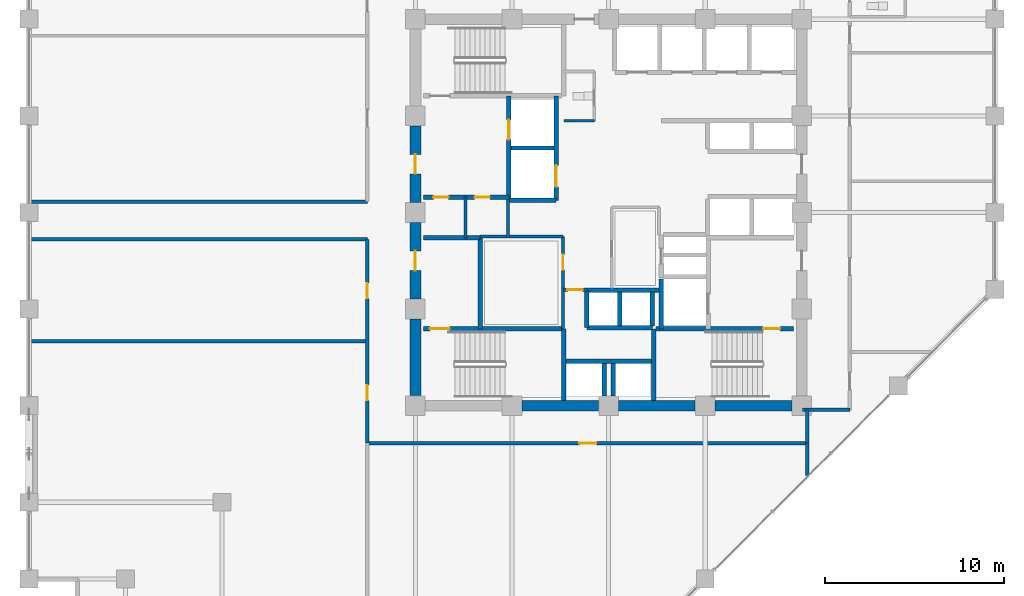
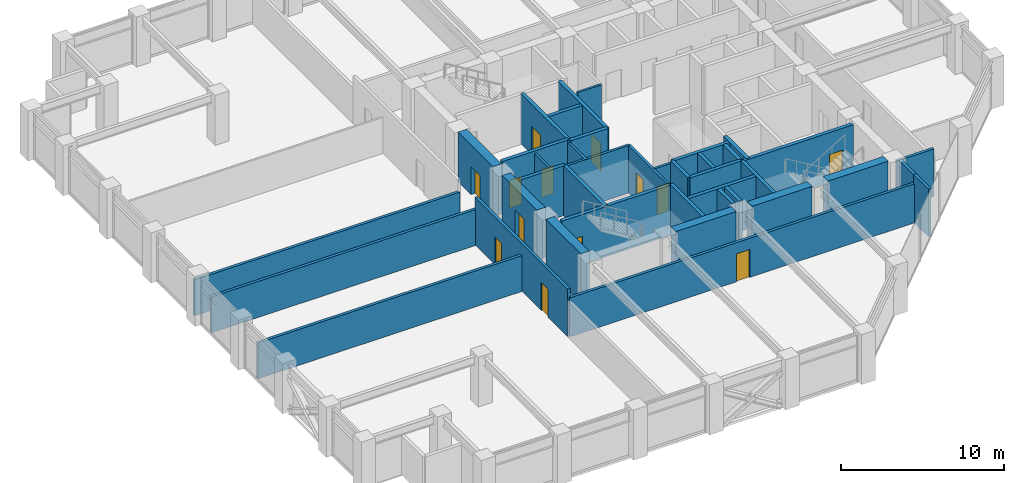
# One storey, part 19 of 23: 40 walls, 13 doors, 13 openings.
"""IFC4 building model written with IfcOpenShell, lengths in metres."""

from ifc_helpers import new_model, si_unit, direction, frame, frame_2d, origin, place, context, subcontext, project, spatial, rectangle, extrude, material, layer, layer_set, type_object, element, fill, save


model = new_model("IFC4")

# Units and contexts
model_context = context("Model", 3, precision=1e-05, world=origin(), true_north=direction((0.0, 1.0)))
body_context = subcontext(model_context, "Body", "Model", "MODEL_VIEW")
ifc_project = project(units=[si_unit("LENGTHUNIT", "METRE"), si_unit("AREAUNIT", "SQUARE_METRE"), si_unit("VOLUMEUNIT", "CUBIC_METRE"), si_unit("PLANEANGLEUNIT", "RADIAN"), si_unit("MASSUNIT", "GRAM", prefix="KILO")], contexts=[model_context])

# Site, building, storey
site_placement = place(None, origin())
site = spatial("IfcSite", under=ifc_project, at=site_placement, CompositionType="ELEMENT")
building_placement = place(site_placement, origin())
building = spatial("IfcBuilding", under=site, at=building_placement, Name="Surkhivell Harbour Commons", CompositionType="ELEMENT")
storey_placement = place(building_placement, frame((0.0, 0.0, 132.0)))
storey = spatial("IfcBuildingStorey", under=building, at=storey_placement, Name="L34", CompositionType="ELEMENT", Elevation=132.0)

# Walls
ifc_material_1 = material(Name="Concrete C60/75", Category="concrete")
ifc_layer_1 = layer(ifc_material_1, 0.60009765625)
ifc_layer_set_1 = layer_set([ifc_layer_1], Name="Concrete C60/75")
wall_type_1 = type_object("IfcWallType", Name="WAL-CORE-600", PredefinedType="SHEAR", material=ifc_layer_set_1)
for number, where, z_axis, x_axis, name in (
    (1, (-10.800048828125, -10.239990234375, 0.0), (0.0, 0.0, 1.0), (0.0, 1.0, 0.0), "L34 Core Shear Wall West 1"),
    (2, (-4.840087890625, -10.800048828125, 0.0), (0.0, 0.0, 1.0), (1.0, 0.0, 0.0), "L34 Core Shear Wall South 2"),
):
    element("IfcWall", number, at=place(storey_placement, frame(where, z_axis=z_axis, x_axis=x_axis)), inside=storey, type_object=wall_type_1, Name=name, PredefinedType="SHEAR", context=body_context, shape_type="SweptSolid", body=[
        extrude(rectangle(XDim=4.280029296875, YDim=0.60009765625, at=frame_2d((2.14013671875, 0.0))), origin(), (0.0, 0.0, 1.0), 3.75),
    ])

# Wall, opening, door
wall_1_placement = place(storey_placement, frame((-10.800048828125, -4.840087890625, 0.0), z_axis=(0.0, 0.0, 1.0), x_axis=(0.0, 1.0, 0.0)))
wall_1 = element("IfcWall", 3, at=wall_1_placement, inside=storey, type_object=wall_type_1, Name="L34 Core Shear Wall West 2", PredefinedType="SHEAR", context=body_context, shape_type="SweptSolid", body=[
    extrude(rectangle(XDim=4.280029296875, YDim=0.60009765625, at=frame_2d((2.14013671875, 0.0))), origin(), (0.0, 0.0, 1.0), 3.75),
])
opening_1_placement = place(wall_1_placement, frame((1.590087890625, 0.0, 0.0)))
opening_1 = element("IfcOpeningElement", 4, at=opening_1_placement, cuts=wall_1, Name="Opening ID-2", PredefinedType="OPENING", context=body_context, shape_type="SweptSolid", body=[
    extrude(rectangle(XDim=1.10009765625, YDim=2.10009765625, at=frame_2d((0.550048828125, 1.050048828125))), frame((0.0, 0.31005859375, 0.0), z_axis=(0.0, -1.0, 0.0), x_axis=(1.0, 0.0, 0.0)), (0.0, 0.0, 1.0), 0.6201171875),
])
ifc_material_2 = material(Name="Hardwood-veneered fire-rated door leaf", Category="wood")
door_type_1 = type_object("IfcDoorType", Name="DOR-FD60-1100", OperationType="NOTDEFINED", PredefinedType="DOOR", material=ifc_material_2)
door_1_placement = place(opening_1_placement, origin())
door_1 = element("IfcDoor", 5, at=door_1_placement, inside=storey, type_object=door_type_1, Name="L34 Stair 3 Lobby Corridor Door", OperationType="SINGLE_SWING_LEFT", OverallHeight=2.10009765625, OverallWidth=1.10009765625, PredefinedType="DOOR", context=body_context, shape_type="SweptSolid", body=[
    extrude(rectangle(XDim=1.10009765625, YDim=2.10009765625, at=frame_2d((0.550048828125, 1.050048828125))), frame((0.0, 0.02490234375, 0.0), z_axis=(0.0, -1.0, 0.0), x_axis=(1.0, 0.0, 0.0)), (0.0, 0.0, 1.0), 0.050048828125),
])
fill(opening_1, door_1)

# Wall
wall_2_placement = place(storey_placement, frame((0.56005859375, -10.800048828125, 0.0), z_axis=(0.0, 0.0, 1.0), x_axis=(1.0, 0.0, 0.0)))
element("IfcWall", 6, at=wall_2_placement, inside=storey, type_object=wall_type_1, Name="L34 Core Shear Wall South 3", PredefinedType="SHEAR", context=body_context, shape_type="SweptSolid", body=[
    extrude(rectangle(XDim=4.280029296875, YDim=0.60009765625, at=frame_2d((2.14013671875, 0.0))), origin(), (0.0, 0.0, 1.0), 3.75),
])

# Wall, opening, door
wall_3_placement = place(storey_placement, frame((-10.800048828125, 0.56005859375, 0.0), z_axis=(0.0, 0.0, 1.0), x_axis=(0.0, 1.0, 0.0)))
wall_3 = element("IfcWall", 7, at=wall_3_placement, inside=storey, type_object=wall_type_1, Name="L34 Core Shear Wall West 3", PredefinedType="SHEAR", context=body_context, shape_type="SweptSolid", body=[
    extrude(rectangle(XDim=4.280029296875, YDim=0.60009765625, at=frame_2d((2.14013671875, 0.0))), origin(), (0.0, 0.0, 1.0), 3.75),
])
opening_2_placement = place(wall_3_placement, frame((1.590087890625, 0.0, 0.0)))
opening_2 = element("IfcOpeningElement", 8, at=opening_2_placement, cuts=wall_3, Name="Opening ID-1", PredefinedType="OPENING", context=body_context, shape_type="SweptSolid", body=[
    extrude(rectangle(XDim=1.10009765625, YDim=2.10009765625, at=frame_2d((0.550048828125, 1.050048828125))), frame((0.0, 0.31005859375, 0.0), z_axis=(0.0, -1.0, 0.0), x_axis=(1.0, 0.0, 0.0)), (0.0, 0.0, 1.0), 0.6201171875),
])
door_type_2 = type_object("IfcDoorType", Name="DOR-FD120-1100", OperationType="NOTDEFINED", PredefinedType="DOOR", material=ifc_material_2)
door_2_placement = place(opening_2_placement, origin())
door_2 = element("IfcDoor", 9, at=door_2_placement, inside=storey, type_object=door_type_2, Name="L34 Firefighting Lobby 1 Corridor Door", OperationType="SINGLE_SWING_LEFT", OverallHeight=2.10009765625, OverallWidth=1.10009765625, PredefinedType="DOOR", context=body_context, shape_type="SweptSolid", body=[
    extrude(rectangle(XDim=1.10009765625, YDim=2.10009765625, at=frame_2d((0.550048828125, 1.050048828125))), frame((0.0, 0.02490234375, 0.0), z_axis=(0.0, -1.0, 0.0), x_axis=(1.0, 0.0, 0.0)), (0.0, 0.0, 1.0), 0.050048828125),
])
fill(opening_2, door_2)

# Walls
wall_4_placement = place(storey_placement, frame((5.9599609375, -10.800048828125, 0.0), z_axis=(0.0, 0.0, 1.0), x_axis=(1.0, 0.0, 0.0)))
element("IfcWall", 10, at=wall_4_placement, inside=storey, type_object=wall_type_1, Name="L34 Core Shear Wall South 4", PredefinedType="SHEAR", context=body_context, shape_type="SweptSolid", body=[
    extrude(rectangle(XDim=4.280029296875, YDim=0.60009765625, at=frame_2d((2.14013671875, 0.0))), origin(), (0.0, 0.0, 1.0), 3.75),
])
ifc_material_3 = material(Name="Twin-stud acoustic fireboard partition", Category="other")
ifc_layer_2 = layer(ifc_material_3, 0.14990234375)
ifc_layer_set_2 = layer_set([ifc_layer_2], Name="Twin-stud acoustic fireboard partition")
wall_type_2 = type_object("IfcWallType", Name="WAL-INT-150", PredefinedType="PARTITIONING", material=ifc_layer_set_2)
wall_5_placement = place(storey_placement, frame((-2.47998046875, 5.1201171875, 0.0), z_axis=(0.0, 0.0, 1.0), x_axis=(1.0, 0.0, 0.0)))
element("IfcWall", 11, at=wall_5_placement, inside=storey, type_object=wall_type_2, Name="L34 Core Accessible WC South Wall", PredefinedType="PARTITIONING", context=body_context, shape_type="SweptSolid", body=[
    extrude(rectangle(XDim=1.679931640625, YDim=0.14990234375, at=frame_2d((0.83984375, 0.0))), origin(), (0.0, 0.0, 1.0), 3.570068359375),
])
wall_6_placement = place(storey_placement, frame((-8.0, -1.419921875, 0.0), z_axis=(0.0, 0.0, 1.0), x_axis=(0.0, 1.0, 0.0)))
element("IfcWall", 12, at=wall_6_placement, inside=storey, type_object=wall_type_2, Name="L34 West Core Cut D1", PredefinedType="PARTITIONING", context=body_context, shape_type="SweptSolid", body=[
    extrude(rectangle(XDim=2.27001953125, YDim=0.14990234375, at=frame_2d((1.135009765625, 0.0))), origin(), (0.0, 0.0, 1.0), 3.570068359375),
])

# Wall, opening, door
ifc_material_4 = material(Name="High-density acoustic blockwork fire partition", Category="masonry")
ifc_layer_3 = layer(ifc_material_4, 0.175048828125)
ifc_layer_set_3 = layer_set([ifc_layer_3], Name="High-density acoustic blockwork fire partition")
wall_type_3 = type_object("IfcWallType", Name="WAL-INT-175", PredefinedType="PARTITIONING", material=ifc_layer_set_3)
wall_7_placement = place(storey_placement, frame((-2.550048828125, -6.510009765625, 0.0), z_axis=(0.0, 0.0, 1.0), x_axis=(0.0, 1.0, 0.0)))
wall_7 = element("IfcWall", 13, at=wall_7_placement, inside=storey, type_object=wall_type_3, Name="L34 Core Service Bay East Wall", PredefinedType="PARTITIONING", context=body_context, shape_type="SweptSolid", body=[
    extrude(rectangle(XDim=5.159912109375, YDim=0.175048828125, at=frame_2d((2.580078125, 0.0))), origin(), (0.0, 0.0, 1.0), 3.570068359375),
])
opening_3_placement = place(wall_7_placement, frame((3.300048828125, 0.0, 0.0)))
opening_3 = element("IfcOpeningElement", 14, at=opening_3_placement, cuts=wall_7, Name="Opening ID-6", PredefinedType="OPENING", context=body_context, shape_type="SweptSolid", body=[
    extrude(rectangle(XDim=0.85009765625, YDim=2.10009765625, at=frame_2d((0.425048828125, 1.050048828125))), frame((0.0, 0.097412109375, 0.0), z_axis=(0.0, -1.0, 0.0), x_axis=(1.0, 0.0, 0.0)), (0.0, 0.0, 1.0), 0.195068359375),
])
door_type_3 = type_object("IfcDoorType", Name="DOR-FD30-850", OperationType="NOTDEFINED", PredefinedType="DOOR", material=ifc_material_2)
door_3_placement = place(opening_3_placement, origin())
door_3 = element("IfcDoor", 15, at=door_3_placement, inside=storey, type_object=door_type_3, Name="L34 Core Quiet Reading Door", OperationType="SINGLE_SWING_RIGHT", OverallHeight=2.10009765625, OverallWidth=0.85009765625, PredefinedType="DOOR", context=body_context, shape_type="SweptSolid", body=[
    extrude(rectangle(XDim=0.85009765625, YDim=2.10009765625, at=frame_2d((0.425048828125, 1.050048828125))), frame((0.0, 0.02490234375, 0.0), z_axis=(0.0, -1.0, 0.0), x_axis=(1.0, 0.0, 0.0)), (0.0, 0.0, 1.0), 0.050048828125),
])
fill(opening_3, door_3)

# Walls
wall_8_placement = place(storey_placement, frame((-7.179931640625, -1.35009765625, 0.0), z_axis=(0.0, 0.0, 1.0), x_axis=(1.0, 0.0, 0.0)))
element("IfcWall", 16, at=wall_8_placement, inside=storey, type_object=wall_type_3, Name="L34 Core Service Bay North Wall", PredefinedType="PARTITIONING", context=body_context, shape_type="SweptSolid", body=[
    extrude(rectangle(XDim=4.6298828125, YDim=0.175048828125, at=frame_2d((2.31494140625, 0.0))), origin(), (0.0, 0.0, 1.0), 3.570068359375),
])
wall_9_placement = place(storey_placement, frame((-5.6201171875, -1.419921875, 0.0), z_axis=(0.0, 0.0, 1.0), x_axis=(0.0, 1.0, 0.0)))
element("IfcWall", 17, at=wall_9_placement, inside=storey, type_object=wall_type_3, Name="L34 West Core Bay East Wall", PredefinedType="PARTITIONING", context=body_context, shape_type="SweptSolid", body=[
    extrude(rectangle(XDim=2.139892578125, YDim=0.175048828125, at=frame_2d((1.06982421875, 0.0))), origin(), (0.0, 0.0, 1.0), 3.570068359375),
])

# Wall, opening, door
wall_10_placement = place(storey_placement, frame((-2.52001953125, -4.320068359375, 0.0), z_axis=(0.0, 0.0, 1.0), x_axis=(1.0, 0.0, 0.0)))
wall_10 = element("IfcWall", 18, at=wall_10_placement, inside=storey, type_object=wall_type_3, Name="L34 High-Rise Lobby North Portal Wall", PredefinedType="PARTITIONING", context=body_context, shape_type="SweptSolid", body=[
    extrude(rectangle(XDim=1.300048828125, YDim=0.175048828125, at=frame_2d((0.64990234375, 0.0))), origin(), (0.0, 0.0, 1.0), 3.570068359375),
])
opening_4_placement = place(wall_10_placement, frame((0.219970703125, 0.0, 0.0)))
opening_4 = element("IfcOpeningElement", 19, at=opening_4_placement, cuts=wall_10, Name="Opening ID-6", PredefinedType="OPENING", context=body_context, shape_type="SweptSolid", body=[
    extrude(rectangle(XDim=0.85009765625, YDim=2.10009765625, at=frame_2d((0.425048828125, 1.050048828125))), frame((0.0, 0.097412109375, 0.0), z_axis=(0.0, -1.0, 0.0), x_axis=(1.0, 0.0, 0.0)), (0.0, 0.0, 1.0), 0.195068359375),
])
door_4_placement = place(opening_4_placement, origin())
door_4 = element("IfcDoor", 20, at=door_4_placement, inside=storey, type_object=door_type_3, Name="L34 High-Rise Lift Lobby North Door", OperationType="SINGLE_SWING_LEFT", OverallHeight=2.10009765625, OverallWidth=0.85009765625, PredefinedType="DOOR", context=body_context, shape_type="SweptSolid", body=[
    extrude(rectangle(XDim=0.85009765625, YDim=2.10009765625, at=frame_2d((0.425048828125, 1.050048828125))), frame((0.0, 0.02490234375, 0.0), z_axis=(0.0, -1.0, 0.0), x_axis=(1.0, 0.0, 0.0)), (0.0, 0.0, 1.0), 0.050048828125),
])
fill(opening_4, door_4)

# Walls
ifc_material_5 = material(Name="Autoclaved aerated concrete blockwork and fire plaster", Category="masonry")
ifc_layer_4 = layer(ifc_material_5, 0.199951171875)
ifc_layer_set_4 = layer_set([ifc_layer_4], Name="Autoclaved aerated concrete blockwork and fire plaster")
wall_type_4 = type_object("IfcWallType", Name="WAL-INT-200", PredefinedType="PARTITIONING", material=ifc_layer_set_4)
wall_11_placement = place(storey_placement, frame((11.10009765625, -14.715087890625, 0.0), z_axis=(0.0, 0.0, 1.0), x_axis=(0.0, 1.0, 0.0)))
element("IfcWall", 21, at=wall_11_placement, inside=storey, type_object=wall_type_4, Name="L34 South-East Wing Corner Divider", PredefinedType="PARTITIONING", context=body_context, shape_type="SweptSolid", body=[
    extrude(rectangle(XDim=1.815185546875, YDim=0.199951171875, at=frame_2d((0.90771484375, 0.0))), origin(), (0.0, 0.0, 1.0), 3.570068359375),
])
wall_12_placement = place(storey_placement, frame((10.85009765625, -11.0400390625, 0.0), z_axis=(0.0, 0.0, 1.0), x_axis=(1.0, 0.0, 0.0)))
element("IfcWall", 22, at=wall_12_placement, inside=storey, type_object=wall_type_4, Name="L34 Corridor East South Closure Wall", PredefinedType="PARTITIONING", context=body_context, shape_type="SweptSolid", body=[
    extrude(rectangle(XDim=2.6298828125, YDim=0.199951171875, at=frame_2d((1.31494140625, 0.0))), origin(), (0.0, 0.0, 1.0), 3.570068359375),
])

# Wall, opening, door
wall_13_placement = place(storey_placement, frame((-13.47998046875, -12.89990234375, 0.0), z_axis=(0.0, 0.0, 1.0), x_axis=(1.0, 0.0, 0.0)))
wall_13 = element("IfcWall", 23, at=wall_13_placement, inside=storey, type_object=wall_type_4, Name="L34 Corridor South Wall", PredefinedType="PARTITIONING", context=body_context, shape_type="SweptSolid", body=[
    extrude(rectangle(XDim=24.580078125, YDim=0.199951171875, at=frame_2d((12.2900390625, 0.0))), origin(), (0.0, 0.0, 1.0), 2.93310546875),
])
opening_5_placement = place(wall_13_placement, frame((11.840087890625, 0.0, 0.0)))
opening_5 = element("IfcOpeningElement", 24, at=opening_5_placement, cuts=wall_13, Name="Opening ID-4", PredefinedType="OPENING", context=body_context, shape_type="SweptSolid", body=[
    extrude(rectangle(XDim=0.949951171875, YDim=2.10009765625, at=frame_2d((0.47509765625, 1.050048828125))), frame((0.0, 0.10986328125, 0.0), z_axis=(0.0, -1.0, 0.0), x_axis=(1.0, 0.0, 0.0)), (0.0, 0.0, 1.0), 0.219970703125),
])
door_type_4 = type_object("IfcDoorType", Name="DOR-FD60-950", OperationType="NOTDEFINED", PredefinedType="DOOR", material=ifc_material_2)
door_5_placement = place(opening_5_placement, origin())
door_5 = element("IfcDoor", 25, at=door_5_placement, inside=storey, type_object=door_type_4, Name="L34 Harbour Social Lounge South Door", OperationType="SINGLE_SWING_LEFT", OverallHeight=2.10009765625, OverallWidth=0.949951171875, PredefinedType="DOOR", context=body_context, shape_type="SweptSolid", body=[
    extrude(rectangle(XDim=0.949951171875, YDim=2.10009765625, at=frame_2d((0.47509765625, 1.050048828125))), frame((0.0, 0.02490234375, 0.0), z_axis=(0.0, -1.0, 0.0), x_axis=(1.0, 0.0, 0.0)), (0.0, 0.0, 1.0), 0.050048828125),
])
fill(opening_5, door_5)

# Walls
wall_14_placement = place(storey_placement, frame((11.10009765625, -12.89990234375, 0.0), z_axis=(0.0, 0.0, 1.0), x_axis=(0.0, 1.0, 0.0)))
element("IfcWall", 26, at=wall_14_placement, inside=storey, type_object=wall_type_4, Name="L34 Corridor SE Closure Wall", PredefinedType="PARTITIONING", context=body_context, shape_type="SweptSolid", body=[
    extrude(rectangle(XDim=1.85986328125, YDim=0.199951171875, at=frame_2d((0.929931640625, 0.0))), origin(), (0.0, 0.0, 1.0), 3.570068359375),
])
for number, where, z_axis, x_axis, name in (
    (27, (-32.340087890625, 0.60009765625, 0.0), (0.0, 0.0, 1.0), (1.0, 0.0, 0.0), "L34 West Alcove North Wall"),
    (28, (-32.340087890625, -1.5, 0.0), (0.0, 0.0, 1.0), (1.0, 0.0, 0.0), "L34 West Alcove South Wall"),
):
    element("IfcWall", number, at=place(storey_placement, frame(where, z_axis=z_axis, x_axis=x_axis)), inside=storey, type_object=wall_type_4, Name=name, PredefinedType="PARTITIONING", context=body_context, shape_type="SweptSolid", body=[
        extrude(rectangle(XDim=18.860107421875, YDim=0.199951171875, at=frame_2d((9.43017578125, 0.0))), origin(), (0.0, 0.0, 1.0), 2.698974609375),
    ])

# Wall, openings, doors
wall_15_placement = place(storey_placement, frame((-13.47998046875, -12.89990234375, 0.0), z_axis=(0.0, 0.0, 1.0), x_axis=(0.0, 1.0, 0.0)))
wall_15 = element("IfcWall", 29, at=wall_15_placement, inside=storey, type_object=wall_type_4, Name="L34 Corridor West-Lower Wall", PredefinedType="PARTITIONING", context=body_context, shape_type="SweptSolid", body=[
    extrude(rectangle(XDim=11.39990234375, YDim=0.199951171875, at=frame_2d((5.699951171875, 0.0))), origin(), (0.0, 0.0, 1.0), 3.570068359375),
])
opening_6_placement = place(wall_15_placement, frame((2.39990234375, 0.0, 0.0)))
opening_6 = element("IfcOpeningElement", 30, at=opening_6_placement, cuts=wall_15, Name="Opening ID-6", PredefinedType="OPENING", context=body_context, shape_type="SweptSolid", body=[
    extrude(rectangle(XDim=0.85009765625, YDim=2.10009765625, at=frame_2d((0.425048828125, 1.050048828125))), frame((0.0, 0.10986328125, 0.0), z_axis=(0.0, -1.0, 0.0), x_axis=(1.0, 0.0, 0.0)), (0.0, 0.0, 1.0), 0.219970703125),
])
opening_7_placement = place(wall_15_placement, frame((8.10009765625, 0.0, 0.0)))
opening_7 = element("IfcOpeningElement", 31, at=opening_7_placement, cuts=wall_15, Name="Opening ID-6", PredefinedType="OPENING", context=body_context, shape_type="SweptSolid", body=[
    extrude(rectangle(XDim=0.85009765625, YDim=2.10009765625, at=frame_2d((0.425048828125, 1.050048828125))), frame((0.0, 0.10986328125, 0.0), z_axis=(0.0, -1.0, 0.0), x_axis=(1.0, 0.0, 0.0)), (0.0, 0.0, 1.0), 0.219970703125),
])
door_6_placement = place(opening_6_placement, origin())
door_6 = element("IfcDoor", 32, at=door_6_placement, inside=storey, type_object=door_type_3, Name="L34 Campus Co-Op Bookshop South-West Door", OperationType="SINGLE_SWING_LEFT", OverallHeight=2.10009765625, OverallWidth=0.85009765625, PredefinedType="DOOR", context=body_context, shape_type="SweptSolid", body=[
    extrude(rectangle(XDim=0.85009765625, YDim=2.10009765625, at=frame_2d((0.425048828125, 1.050048828125))), frame((0.0, 0.02490234375, 0.0), z_axis=(0.0, -1.0, 0.0), x_axis=(1.0, 0.0, 0.0)), (0.0, 0.0, 1.0), 0.050048828125),
])
fill(opening_6, door_6)
door_7_placement = place(opening_7_placement, origin())
door_7 = element("IfcDoor", 33, at=door_7_placement, inside=storey, type_object=door_type_3, Name="L34 Harbour Espresso Cafe Shop South-West Door", OperationType="SINGLE_SWING_RIGHT", OverallHeight=2.10009765625, OverallWidth=0.85009765625, PredefinedType="DOOR", context=body_context, shape_type="SweptSolid", body=[
    extrude(rectangle(XDim=0.85009765625, YDim=2.10009765625, at=frame_2d((0.425048828125, 1.050048828125))), frame((0.0, 0.02490234375, 0.0), z_axis=(0.0, -1.0, 0.0), x_axis=(1.0, 0.0, 0.0)), (0.0, 0.0, 1.0), 0.050048828125),
])
fill(opening_7, door_7)

# Wall
wall_16_placement = place(storey_placement, frame((-32.340087890625, -7.199951171875, 0.0), z_axis=(0.0, 0.0, 1.0), x_axis=(1.0, 0.0, 0.0)))
element("IfcWall", 34, at=wall_16_placement, inside=storey, type_object=wall_type_4, Name="L34 South-West Partition P1", PredefinedType="PARTITIONING", context=body_context, shape_type="SweptSolid", body=[
    extrude(rectangle(XDim=18.860107421875, YDim=0.199951171875, at=frame_2d((9.43017578125, 0.0))), origin(), (0.0, 0.0, 1.0), 2.698974609375),
])

# Wall, opening, door
ifc_material_6 = material(Name="Concrete C50/60", Category="concrete")
ifc_layer_5 = layer(ifc_material_6, 0.25)
ifc_layer_set_5 = layer_set([ifc_layer_5], Name="Concrete C50/60")
wall_type_5 = type_object("IfcWallType", Name="WAL-SHAFT-250", PredefinedType="SHEAR", material=ifc_layer_set_5)
wall_17_placement = place(storey_placement, frame((-5.580078125, 0.719970703125, 0.0), z_axis=(0.0, 0.0, 1.0), x_axis=(0.0, 1.0, 0.0)))
wall_17 = element("IfcWall", 35, at=wall_17_placement, inside=storey, type_object=wall_type_5, Name="L34 Firefighting Lobby 1 East Shaft Wall", PredefinedType="SHEAR", context=body_context, shape_type="SweptSolid", body=[
    extrude(rectangle(XDim=5.7900390625, YDim=0.25, at=frame_2d((2.89501953125, 0.0))), origin(), (0.0, 0.0, 1.0), 3.75),
])
opening_8_placement = place(wall_17_placement, frame((3.35009765625, 0.0, 0.0)))
opening_8 = element("IfcOpeningElement", 36, at=opening_8_placement, cuts=wall_17, Name="Opening LD-1", PredefinedType="OPENING", context=body_context, shape_type="SweptSolid", body=[
    extrude(rectangle(XDim=1.10009765625, YDim=2.10009765625, at=frame_2d((0.550048828125, 1.050048828125))), frame((0.0, 0.135009765625, 0.0), z_axis=(0.0, -1.0, 0.0), x_axis=(1.0, 0.0, 0.0)), (0.0, 0.0, 1.0), 0.27001953125),
])
ifc_material_7 = material(Name="Brushed stainless steel S355", Category="steel")
door_type_5 = type_object("IfcDoorType", Name="DOR-LD-1100", OperationType="SLIDING_TO_LEFT", PredefinedType="DOOR", material=ifc_material_7)
door_8_placement = place(opening_8_placement, origin())
door_8 = element("IfcDoor", 37, at=door_8_placement, inside=storey, type_object=door_type_5, Name="L34 Lift Landing Door LD-FFL1", OperationType="SLIDING_TO_LEFT", OverallHeight=2.10009765625, OverallWidth=1.10009765625, PredefinedType="DOOR", context=body_context, shape_type="SweptSolid", body=[
    extrude(rectangle(XDim=1.10009765625, YDim=2.10009765625, at=frame_2d((0.550048828125, 1.050048828125))), frame((0.0, 0.02490234375, 0.0), z_axis=(0.0, -1.0, 0.0), x_axis=(1.0, 0.0, 0.0)), (0.0, 0.0, 1.0), 0.050048828125),
])
fill(opening_8, door_8)

# Wall, openings, doors
wall_18_placement = place(storey_placement, frame((-10.340087890625, 0.85009765625, 0.0), z_axis=(0.0, 0.0, 1.0), x_axis=(1.0, 0.0, 0.0)))
wall_18 = element("IfcWall", 38, at=wall_18_placement, inside=storey, type_object=wall_type_5, Name="L34 Firefighting Lobby 1 South Wall", PredefinedType="SHEAR", context=body_context, shape_type="SweptSolid", body=[
    extrude(rectangle(XDim=4.760009765625, YDim=0.25, at=frame_2d((2.3798828125, 0.0))), origin(), (0.0, 0.0, 1.0), 3.75),
])
opening_9_placement = place(wall_18_placement, frame((0.550048828125, 0.0, 0.0)))
opening_9 = element("IfcOpeningElement", 39, at=opening_9_placement, cuts=wall_18, Name="Opening ID-6", PredefinedType="OPENING", context=body_context, shape_type="SweptSolid", body=[
    extrude(rectangle(XDim=0.85009765625, YDim=2.10009765625, at=frame_2d((0.425048828125, 1.050048828125))), frame((0.0, 0.135009765625, 0.0), z_axis=(0.0, -1.0, 0.0), x_axis=(1.0, 0.0, 0.0)), (0.0, 0.0, 1.0), 0.27001953125),
])
opening_10_placement = place(wall_18_placement, frame((2.85009765625, 0.0, 0.0)))
opening_10 = element("IfcOpeningElement", 40, at=opening_10_placement, cuts=wall_18, Name="Opening ID-6", PredefinedType="OPENING", context=body_context, shape_type="SweptSolid", body=[
    extrude(rectangle(XDim=0.85009765625, YDim=2.10009765625, at=frame_2d((0.425048828125, 1.050048828125))), frame((0.0, 0.135009765625, 0.0), z_axis=(0.0, -1.0, 0.0), x_axis=(1.0, 0.0, 0.0)), (0.0, 0.0, 1.0), 0.27001953125),
])
door_9_placement = place(opening_9_placement, origin())
door_9 = element("IfcDoor", 41, at=door_9_placement, inside=storey, type_object=door_type_3, Name="L34 West Seminar Pod Door", OperationType="SINGLE_SWING_LEFT", OverallHeight=2.10009765625, OverallWidth=0.85009765625, PredefinedType="DOOR", context=body_context, shape_type="SweptSolid", body=[
    extrude(rectangle(XDim=0.85009765625, YDim=2.10009765625, at=frame_2d((0.425048828125, 1.050048828125))), frame((0.0, 0.02490234375, 0.0), z_axis=(0.0, -1.0, 0.0), x_axis=(1.0, 0.0, 0.0)), (0.0, 0.0, 1.0), 0.050048828125),
])
fill(opening_9, door_9)
door_10_placement = place(opening_10_placement, origin())
door_10 = element("IfcDoor", 42, at=door_10_placement, inside=storey, type_object=door_type_3, Name="L34 West Reading Pod Door", OperationType="SINGLE_SWING_RIGHT", OverallHeight=2.10009765625, OverallWidth=0.85009765625, PredefinedType="DOOR", context=body_context, shape_type="SweptSolid", body=[
    extrude(rectangle(XDim=0.85009765625, YDim=2.10009765625, at=frame_2d((0.425048828125, 1.050048828125))), frame((0.0, 0.02490234375, 0.0), z_axis=(0.0, -1.0, 0.0), x_axis=(1.0, 0.0, 0.0)), (0.0, 0.0, 1.0), 0.050048828125),
])
fill(opening_10, door_10)

# Walls
wall_19_placement = place(storey_placement, frame((2.929931640625, -6.510009765625, 0.0), z_axis=(0.0, 0.0, 1.0), x_axis=(0.0, 1.0, 0.0)))
element("IfcWall", 43, at=wall_19_placement, inside=storey, type_object=wall_type_5, Name="L34 FFL2 West Shaft Wall", PredefinedType="SHEAR", context=body_context, shape_type="SweptSolid", body=[
    extrude(rectangle(XDim=2.7900390625, YDim=0.25, at=frame_2d((1.39501953125, 0.0))), origin(), (0.0, 0.0, 1.0), 3.75),
])
for number, where, z_axis, x_axis, name in (
    (44, (0.6201171875, -6.340087890625, 0.0), (0.0, 0.0, 1.0), (0.0, 1.0, 0.0), "L34 High-Rise Side Wall N"),
    (45, (2.449951171875, -6.340087890625, 0.0), (0.0, 0.0, 1.0), (0.0, 1.0, 0.0), "L34 High-Rise Side Wall N"),
):
    element("IfcWall", number, at=place(storey_placement, frame(where, z_axis=z_axis, x_axis=x_axis)), inside=storey, type_object=wall_type_5, Name=name, PredefinedType="SHEAR", context=body_context, shape_type="SweptSolid", body=[
        extrude(rectangle(XDim=1.880126953125, YDim=0.25, at=frame_2d((0.93994140625, 0.0))), origin(), (0.0, 0.0, 1.0), 3.75),
    ])
for number, where, z_axis, x_axis, name in (
    (46, (-0.25, -10.25, 0.0), (0.0, 0.0, 1.0), (0.0, 1.0, 0.0), "L34 High-Rise Side Wall S"),
    (47, (0.25, -10.25, 0.0), (0.0, 0.0, 1.0), (0.0, 1.0, 0.0), "L34 High-Rise Side Wall S"),
):
    element("IfcWall", number, at=place(storey_placement, frame(where, z_axis=z_axis, x_axis=x_axis)), inside=storey, type_object=wall_type_5, Name=name, PredefinedType="SHEAR", context=body_context, shape_type="SweptSolid", body=[
        extrude(rectangle(XDim=1.81005859375, YDim=0.25, at=frame_2d((0.905029296875, 0.0))), origin(), (0.0, 0.0, 1.0), 3.75),
    ])
wall_20_placement = place(storey_placement, frame((-1.219970703125, -6.43994140625, 0.0), z_axis=(0.0, 0.0, 1.0), x_axis=(0.0, 1.0, 0.0)))
element("IfcWall", 48, at=wall_20_placement, inside=storey, type_object=wall_type_5, Name="L34 High-Rise Passage East Shaft Wall", PredefinedType="SHEAR", context=body_context, shape_type="SweptSolid", body=[
    extrude(rectangle(XDim=2.079833984375, YDim=0.25, at=frame_2d((1.0400390625, 0.0))), origin(), (0.0, 0.0, 1.0), 3.75),
])
wall_21_placement = place(storey_placement, frame((-1.219970703125, -6.43994140625, 0.0), z_axis=(0.0, 0.0, 1.0), x_axis=(1.0, 0.0, 0.0)))
element("IfcWall", 49, at=wall_21_placement, inside=storey, type_object=wall_type_5, Name="L34 High-Rise North Front Shaft Wall", PredefinedType="SHEAR", context=body_context, shape_type="SweptSolid", body=[
    extrude(rectangle(XDim=3.669921875, YDim=0.25, at=frame_2d((1.8349609375, 0.0))), origin(), (0.0, 0.0, 1.0), 3.75),
])
wall_22_placement = place(storey_placement, frame((-2.47998046875, -8.320068359375, 0.0), z_axis=(0.0, 0.0, 1.0), x_axis=(1.0, 0.0, 0.0)))
element("IfcWall", 50, at=wall_22_placement, inside=storey, type_object=wall_type_5, Name="L34 High-Rise South Front Shaft Wall", PredefinedType="SHEAR", context=body_context, shape_type="SweptSolid", body=[
    extrude(rectangle(XDim=4.929931640625, YDim=0.25, at=frame_2d((2.46484375, 0.0))), origin(), (0.0, 0.0, 1.0), 3.75),
])
wall_23_placement = place(storey_placement, frame((-1.219970703125, -4.360107421875, 0.0), z_axis=(0.0, 0.0, 1.0), x_axis=(1.0, 0.0, 0.0)))
element("IfcWall", 51, at=wall_23_placement, inside=storey, type_object=wall_type_5, Name="L34 High-Rise North Back Shaft Wall", PredefinedType="SHEAR", context=body_context, shape_type="SweptSolid", body=[
    extrude(rectangle(XDim=4.030029296875, YDim=0.25, at=frame_2d((2.01513671875, 0.0))), origin(), (0.0, 0.0, 1.0), 3.75),
])

# Wall, opening, door
wall_24_placement = place(storey_placement, frame((2.639892578125, -6.510009765625, 0.0), z_axis=(0.0, 0.0, 1.0), x_axis=(1.0, 0.0, 0.0)))
wall_24 = element("IfcWall", 52, at=wall_24_placement, inside=storey, type_object=wall_type_5, Name="L34 Stair ST2 North Shear Wall", PredefinedType="SHEAR", context=body_context, shape_type="SweptSolid", body=[
    extrude(rectangle(XDim=7.7001953125, YDim=0.25, at=frame_2d((3.85009765625, 0.0))), origin(), (0.0, 0.0, 1.0), 3.75),
])
opening_11_placement = place(wall_24_placement, frame((6.0, 0.0, 0.0)))
opening_11 = element("IfcOpeningElement", 53, at=opening_11_placement, cuts=wall_24, Name="Opening ID-4", PredefinedType="OPENING", context=body_context, shape_type="SweptSolid", body=[
    extrude(rectangle(XDim=0.949951171875, YDim=2.10009765625, at=frame_2d((0.47509765625, 1.050048828125))), frame((0.0, 0.135009765625, 0.0), z_axis=(0.0, -1.0, 0.0), x_axis=(1.0, 0.0, 0.0)), (0.0, 0.0, 1.0), 0.27001953125),
])
door_11_placement = place(opening_11_placement, origin())
door_11 = element("IfcDoor", 54, at=door_11_placement, inside=storey, type_object=door_type_4, Name="L34 Stair ST2 Exit Door", OperationType="SINGLE_SWING_RIGHT", OverallHeight=2.10009765625, OverallWidth=0.949951171875, PredefinedType="DOOR", context=body_context, shape_type="SweptSolid", body=[
    extrude(rectangle(XDim=0.949951171875, YDim=2.10009765625, at=frame_2d((0.47509765625, 1.050048828125))), frame((0.0, 0.02490234375, 0.0), z_axis=(0.0, -1.0, 0.0), x_axis=(1.0, 0.0, 0.0)), (0.0, 0.0, 1.0), 0.050048828125),
])
fill(opening_11, door_11)

# Walls
for number, where, z_axis, x_axis, name in (
    (55, (2.510009765625, -10.5, 0.0), (0.0, 0.0, 1.0), (0.0, 1.0, 0.0), "L34 Stair ST2 West Shear Wall"),
    (56, (-2.510009765625, -10.5, 0.0), (0.0, 0.0, 1.0), (0.0, 1.0, 0.0), "L34 Stair ST3 East Shear Wall"),
):
    element("IfcWall", number, at=place(storey_placement, frame(where, z_axis=z_axis, x_axis=x_axis)), inside=storey, type_object=wall_type_5, Name=name, PredefinedType="SHEAR", context=body_context, shape_type="SweptSolid", body=[
        extrude(rectangle(XDim=3.989990234375, YDim=0.25, at=frame_2d((1.9951171875, 0.0))), origin(), (0.0, 0.0, 1.0), 3.75),
    ])
wall_25_placement = place(storey_placement, frame((-7.179931640625, -6.510009765625, 0.0), z_axis=(0.0, 0.0, 1.0), x_axis=(0.0, 1.0, 0.0)))
element("IfcWall", 57, at=wall_25_placement, inside=storey, type_object=wall_type_5, Name="L34 Stair 3 Lobby East Wall", PredefinedType="SHEAR", context=body_context, shape_type="SweptSolid", body=[
    extrude(rectangle(XDim=5.090087890625, YDim=0.25, at=frame_2d((2.544921875, 0.0))), origin(), (0.0, 0.0, 1.0), 3.75),
])
wall_26_placement = place(storey_placement, frame((-10.340087890625, -1.419921875, 0.0), z_axis=(0.0, 0.0, 1.0), x_axis=(1.0, 0.0, 0.0)))
element("IfcWall", 58, at=wall_26_placement, inside=storey, type_object=wall_type_5, Name="L34 Stair 3 Lobby North Wall", PredefinedType="SHEAR", context=body_context, shape_type="SweptSolid", body=[
    extrude(rectangle(XDim=3.16015625, YDim=0.25, at=frame_2d((1.580078125, 0.0))), origin(), (0.0, 0.0, 1.0), 3.75),
])

# Wall, opening, door
wall_27_placement = place(storey_placement, frame((-10.340087890625, -6.510009765625, 0.0), z_axis=(0.0, 0.0, 1.0), x_axis=(1.0, 0.0, 0.0)))
wall_27 = element("IfcWall", 59, at=wall_27_placement, inside=storey, type_object=wall_type_5, Name="L34 Stair ST3 North Shear Wall", PredefinedType="SHEAR", context=body_context, shape_type="SweptSolid", body=[
    extrude(rectangle(XDim=7.7001953125, YDim=0.25, at=frame_2d((3.85009765625, 0.0))), origin(), (0.0, 0.0, 1.0), 3.75),
])
opening_12_placement = place(wall_27_placement, frame((0.35009765625, 0.0, 0.0)))
opening_12 = element("IfcOpeningElement", 60, at=opening_12_placement, cuts=wall_27, Name="Opening ID-2", PredefinedType="OPENING", context=body_context, shape_type="SweptSolid", body=[
    extrude(rectangle(XDim=1.10009765625, YDim=2.10009765625, at=frame_2d((0.550048828125, 1.050048828125))), frame((0.0, 0.135009765625, 0.0), z_axis=(0.0, -1.0, 0.0), x_axis=(1.0, 0.0, 0.0)), (0.0, 0.0, 1.0), 0.27001953125),
])
door_12_placement = place(opening_12_placement, origin())
door_12 = element("IfcDoor", 61, at=door_12_placement, inside=storey, type_object=door_type_1, Name="L34 Stair ST3 Exit Door", OperationType="SINGLE_SWING_RIGHT", OverallHeight=2.10009765625, OverallWidth=1.10009765625, PredefinedType="DOOR", context=body_context, shape_type="SweptSolid", body=[
    extrude(rectangle(XDim=1.10009765625, YDim=2.10009765625, at=frame_2d((0.550048828125, 1.050048828125))), frame((0.0, 0.02490234375, 0.0), z_axis=(0.0, -1.0, 0.0), x_axis=(1.0, 0.0, 0.0)), (0.0, 0.0, 1.0), 0.050048828125),
])
fill(opening_12, door_12)

wall_28_placement = place(storey_placement, frame((-2.929931640625, 0.679931640625, 0.0), z_axis=(0.0, 0.0, 1.0), x_axis=(0.0, 1.0, 0.0)))
wall_28 = element("IfcWall", 62, at=wall_28_placement, inside=storey, type_object=wall_type_5, Name="L34 Service and Fire Lift East Shaft Wall", PredefinedType="SHEAR", context=body_context, shape_type="SweptSolid", body=[
    extrude(rectangle(XDim=5.830078125, YDim=0.25, at=frame_2d((2.9150390625, 0.0))), origin(), (0.0, 0.0, 1.0), 3.75),
])
opening_13_placement = place(wall_28_placement, frame((0.75, 0.0, 0.0)))
opening_13 = element("IfcOpeningElement", 63, at=opening_13_placement, cuts=wall_28, Name="Opening LD-2", PredefinedType="OPENING", context=body_context, shape_type="SweptSolid", body=[
    extrude(rectangle(XDim=1.199951171875, YDim=2.10009765625, at=frame_2d((0.60009765625, 1.050048828125))), frame((0.0, 0.135009765625, 0.0), z_axis=(0.0, -1.0, 0.0), x_axis=(1.0, 0.0, 0.0)), (0.0, 0.0, 1.0), 0.27001953125),
])
door_type_6 = type_object("IfcDoorType", Name="DOR-LD-1200", OperationType="SLIDING_TO_LEFT", PredefinedType="DOOR", material=ifc_material_7)
door_13_placement = place(opening_13_placement, origin())
door_13 = element("IfcDoor", 64, at=door_13_placement, inside=storey, type_object=door_type_6, Name="L34 Lift Landing Door LD-SVL1", OperationType="SLIDING_TO_LEFT", OverallHeight=2.10009765625, OverallWidth=1.199951171875, PredefinedType="DOOR", context=body_context, shape_type="SweptSolid", body=[
    extrude(rectangle(XDim=1.199951171875, YDim=2.10009765625, at=frame_2d((0.60009765625, 1.050048828125))), frame((0.0, 0.02490234375, 0.0), z_axis=(0.0, -1.0, 0.0), x_axis=(1.0, 0.0, 0.0)), (0.0, 0.0, 1.0), 0.050048828125),
])
fill(opening_13, door_13)

# Walls
wall_29_placement = place(storey_placement, frame((-5.449951171875, 3.60009765625, 0.0), z_axis=(0.0, 0.0, 1.0), x_axis=(1.0, 0.0, 0.0)))
element("IfcWall", 65, at=wall_29_placement, inside=storey, type_object=wall_type_5, Name="L34 FFL1/SVL1 Shaft Divider", PredefinedType="SHEAR", context=body_context, shape_type="SweptSolid", body=[
    extrude(rectangle(XDim=2.389892578125, YDim=0.25, at=frame_2d((1.19482421875, 0.0))), origin(), (0.0, 0.0, 1.0), 3.75),
])
wall_30_placement = place(storey_placement, frame((-5.580078125, 0.679931640625, 0.0), z_axis=(0.0, 0.0, 1.0), x_axis=(1.0, 0.0, 0.0)))
element("IfcWall", 66, at=wall_30_placement, inside=storey, type_object=wall_type_5, Name="L34 SVL1 South Shaft Wall", PredefinedType="SHEAR", context=body_context, shape_type="SweptSolid", body=[
    extrude(rectangle(XDim=2.650146484375, YDim=0.25, at=frame_2d((1.3251953125, 0.0))), origin(), (0.0, 0.0, 1.0), 3.75),
])

save(model, "model.ifc")
